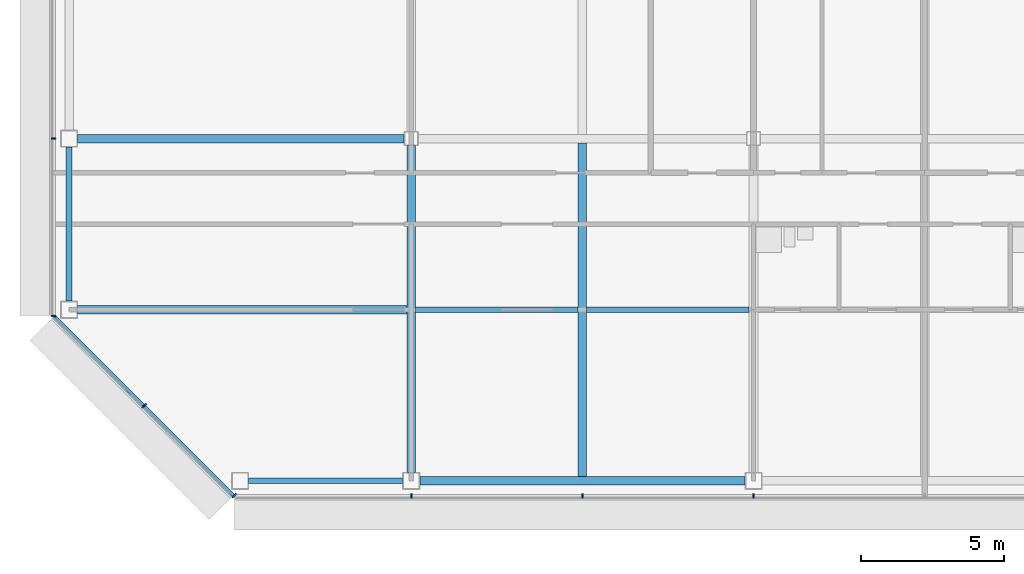
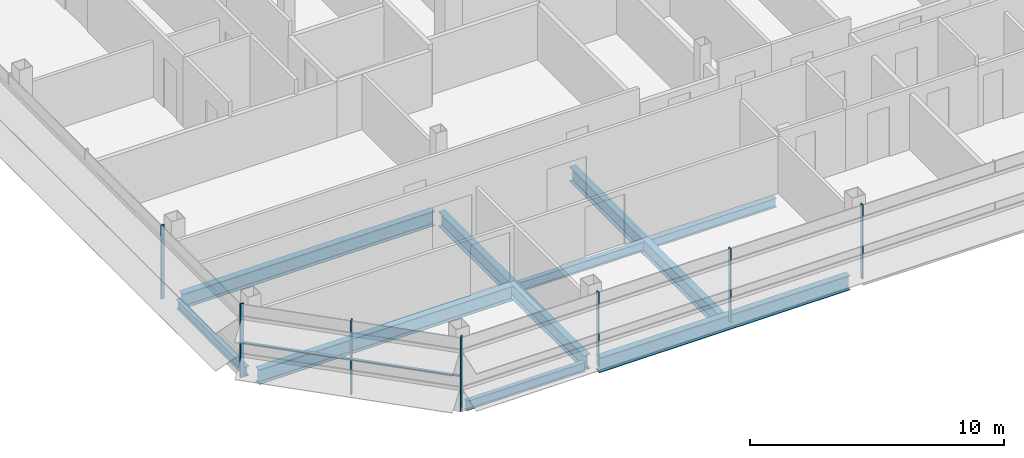
# One storey, part 3 of 28: 9 beams, 8 members, 3 elements without a shape of their own.
"""IFC4 building model written with IfcOpenShell, lengths in metres."""

from ifc_helpers import new_model, si_unit, direction, frame, origin, origin_2d, place, context, subcontext, project, spatial, rectangle, i_section, extrude, material, material_profile, profile_set, type_object, element, aggregate, save


model = new_model("IFC4")

# Units and contexts
model_context = context("Model", 3, precision=1e-05, world=origin(), true_north=direction((0.0, 1.0)))
body_context = subcontext(model_context, "Body", "Model", "MODEL_VIEW")
ifc_project = project(units=[si_unit("LENGTHUNIT", "METRE"), si_unit("AREAUNIT", "SQUARE_METRE"), si_unit("VOLUMEUNIT", "CUBIC_METRE"), si_unit("PLANEANGLEUNIT", "RADIAN"), si_unit("MASSUNIT", "GRAM", prefix="KILO")], contexts=[model_context])

# Site, building, storey
site_placement = place(None, origin())
site = spatial("IfcSite", under=ifc_project, at=site_placement, CompositionType="ELEMENT")
building_placement = place(site_placement, origin())
building = spatial("IfcBuilding", under=site, at=building_placement, Name="Sorahane Residences", CompositionType="ELEMENT")
storey_placement = place(building_placement, frame((0.0, 0.0, 254.0)))
storey = spatial("IfcBuildingStorey", under=building, at=storey_placement, Name="L60", CompositionType="ELEMENT", Elevation=254.0)

# Curtain wall, members
ifc_material_1 = material(Name="Dark low-e glass and black anodised aluminium", Category="aluminium")
curtain_wall_type_1 = type_object("IfcCurtainWallType", Name="Curtain wall CW-1 Typical unitised wall", PredefinedType="NOTDEFINED", material=ifc_material_1)
curtain_wall_1_placement = place(storey_placement, origin())
curtain_wall_1 = element("IfcCurtainWall", 1, at=curtain_wall_1_placement, inside=storey, type_object=curtain_wall_type_1, Name="CW-1 curtain wall L60 S1", PredefinedType="NOTDEFINED")
ifc_material_2 = material(Name="Black anodised aluminium", Category="aluminium")
ifc_material_profile_1 = material_profile(ifc_material_2, rectangle(XDim=0.159912109375, YDim=0.050048828125, at=origin_2d()), Name="Curtain wall mullion CW-1 black anodised aluminium 50x160")
ifc_profile_set_1 = profile_set([ifc_material_profile_1], Name="Black anodised aluminium")
member_type_1 = type_object("IfcMemberType", Name="Curtain wall mullion CW-1 black anodised aluminium 50x160", PredefinedType="MULLION", material=ifc_profile_set_1)
member_1_placement = place(storey_placement, frame((0.0, -0.5400390625, -0.179931640625), z_axis=(0.0, 0.0, 1.0), x_axis=(0.0, -1.0, 0.0)))
member_1 = element("IfcMember", 2, at=member_1_placement, type_object=member_type_1, Name="CW-1 mullion L60 S1.2", PredefinedType="MULLION", context=body_context, shape_type="SweptSolid", body=[
    extrude(rectangle(XDim=0.159912109375, YDim=0.050048828125, at=origin_2d()), origin(), (0.0, 0.0, 1.0), 3.559814453125),
])
member_2_placement = place(storey_placement, frame((6.0, -0.5400390625, -0.179931640625), z_axis=(0.0, 0.0, 1.0), x_axis=(0.0, -1.0, 0.0)))
member_2 = element("IfcMember", 3, at=member_2_placement, type_object=member_type_1, Name="CW-1 mullion L60 S1.3", PredefinedType="MULLION", context=body_context, shape_type="SweptSolid", body=[
    extrude(rectangle(XDim=0.159912109375, YDim=0.050048828125, at=origin_2d()), origin(), (0.0, 0.0, 1.0), 3.559814453125),
])
member_3_placement = place(storey_placement, frame((12.0, -0.5400390625, -0.179931640625), z_axis=(0.0, 0.0, 1.0), x_axis=(0.0, -1.0, 0.0)))
member_3 = element("IfcMember", 4, at=member_3_placement, type_object=member_type_1, Name="CW-1 mullion L60 S1.4", PredefinedType="MULLION", context=body_context, shape_type="SweptSolid", body=[
    extrude(rectangle(XDim=0.159912109375, YDim=0.050048828125, at=origin_2d()), origin(), (0.0, 0.0, 1.0), 3.559814453125),
])
aggregate(curtain_wall_1, [member_1, member_2, member_3])

curtain_wall_2_placement = place(storey_placement, origin())
curtain_wall_2 = element("IfcCurtainWall", 5, at=curtain_wall_2_placement, inside=storey, type_object=curtain_wall_type_1, Name="CW-1 curtain wall L60 W1", PredefinedType="NOTDEFINED")
member_4_placement = place(storey_placement, frame((-12.5400390625, 12.0, -0.179931640625), z_axis=(0.0, 0.0, 1.0), x_axis=(-1.0, 0.0, 0.0)))
member_4 = element("IfcMember", 6, at=member_4_placement, type_object=member_type_1, Name="CW-1 mullion L60 W1.6", PredefinedType="MULLION", context=body_context, shape_type="SweptSolid", body=[
    extrude(rectangle(XDim=0.159912109375, YDim=0.050048828125, at=origin_2d()), origin(), (0.0, 0.0, 1.0), 3.559814453125),
])
member_5_placement = place(storey_placement, frame((-12.5400390625, 5.7763671875, -0.179931640625), z_axis=(0.0, 0.0, 1.0), x_axis=(-1.0, 0.0, 0.0)))
member_5 = element("IfcMember", 7, at=member_5_placement, type_object=member_type_1, Name="CW-1 mullion L60 W1.7", PredefinedType="MULLION", context=body_context, shape_type="SweptSolid", body=[
    extrude(rectangle(XDim=0.159912109375, YDim=0.050048828125, at=origin_2d()), origin(), (0.0, 0.0, 1.0), 3.559814453125),
])
aggregate(curtain_wall_2, [member_4, member_5])

ifc_material_3 = material(Name="Dark low-e glass and black anodised aluminium", Category="aluminium")
curtain_wall_type_2 = type_object("IfcCurtainWallType", Name="Curtain wall CW-2 Chamfer unitised wall", PredefinedType="NOTDEFINED", material=ifc_material_3)
curtain_wall_3_placement = place(storey_placement, origin())
curtain_wall_3 = element("IfcCurtainWall", 8, at=curtain_wall_3_placement, inside=storey, type_object=curtain_wall_type_2, Name="CW-2 curtain wall L60 SW1", PredefinedType="NOTDEFINED")
ifc_material_4 = material(Name="Black anodised aluminium", Category="aluminium")
ifc_material_profile_2 = material_profile(ifc_material_4, rectangle(XDim=0.199951171875, YDim=0.050048828125, at=origin_2d()), Name="Curtain wall mullion CW-2 black anodised aluminium 50x200")
ifc_profile_set_2 = profile_set([ifc_material_profile_2], Name="Black anodised aluminium")
member_type_2 = type_object("IfcMemberType", Name="Curtain wall mullion CW-2 black anodised aluminium 50x200", PredefinedType="MULLION", material=ifc_profile_set_2)
member_6_placement = place(storey_placement, frame((-9.36767578125, 2.63232421875, -0.179931640625), z_axis=(0.0, 0.0, 1.0), x_axis=(-0.707106781187, -0.707106781187, 0.0)))
member_6 = element("IfcMember", 9, at=member_6_placement, type_object=member_type_2, Name="CW-2 mullion L60 SW1.2", PredefinedType="MULLION", context=body_context, shape_type="SweptSolid", body=[
    extrude(rectangle(XDim=0.199951171875, YDim=0.050048828125, at=origin_2d()), origin(), (0.0, 0.0, 1.0), 3.559814453125),
])
member_7_placement = place(storey_placement, frame((-6.209716796875, -0.525634765625, -0.179931640625), z_axis=(0.0, 0.0, 1.0), x_axis=(-0.707106781187, -0.707106781187, 0.0)))
member_7 = element("IfcMember", 10, at=member_7_placement, type_object=member_type_2, Name="CW-2 mullion L60 SW1.3", PredefinedType="MULLION", context=body_context, shape_type="SweptSolid", body=[
    extrude(rectangle(XDim=0.199951171875, YDim=0.050048828125, at=origin_2d()), origin(), (0.0, 0.0, 1.0), 3.559814453125),
])
ifc_material_5 = material(Name="Black anodised aluminium", Category="aluminium")
ifc_material_profile_3 = material_profile(ifc_material_5, rectangle(XDim=0.10009765625, YDim=0.06005859375, at=origin_2d()), Name="Curtain wall transom CW-2 black anodised aluminium 60x100")
ifc_profile_set_3 = profile_set([ifc_material_profile_3], Name="Black anodised aluminium")
member_type_3 = type_object("IfcMemberType", Name="Curtain wall transom CW-2 black anodised aluminium 60x100", PredefinedType="USERDEFINED", material=ifc_profile_set_3)
member_8_placement = place(storey_placement, frame((-12.51513671875, 5.765625, 1.5), z_axis=(0.707106781187, -0.707106781187, 0.0), x_axis=(0.707106781187, 0.707106781187, 0.0)))
member_8 = element("IfcMember", 11, at=member_8_placement, type_object=member_type_3, Name="CW-2 transom L60 SW1", ObjectType="TRANSOM", PredefinedType="USERDEFINED", context=body_context, shape_type="SweptSolid", body=[
    extrude(rectangle(XDim=0.10009765625, YDim=0.06005859375, at=origin_2d()), origin(), (0.0, 0.0, 1.0), 8.88232421875),
])
aggregate(curtain_wall_3, [member_6, member_7, member_8])

# Beams
ifc_material_6 = material(Name="Steel Q355B", Category="steel")
ifc_material_profile_4 = material_profile(ifc_material_6, i_section(OverallWidth=0.199951171875, OverallDepth=0.449951171875, WebThickness=0.009033203125, FlangeThickness=0.013916015625, FilletRadius=0.02001953125, at=origin_2d()), Name="HN 450x200x9x14")
ifc_profile_set_4 = profile_set([ifc_material_profile_4], Name="Steel Q355B")
beam_type_1 = type_object("IfcBeamType", Name="Steel floor beam HN 450x200x9x14 Q355B", PredefinedType="BEAM", material=ifc_profile_set_4)
for number, where, z_axis, x_axis, name in (
    (12, (-5.699951171875, 0.0, -0.405029296875), (1.0, 0.0, 0.0), (0.0, 1.0, 0.0), "Beam L60 000"),
    (13, (-12.0, 6.300048828125, -0.405029296875), (0.0, 1.0, 0.0), (-1.0, 0.0, 0.0), "Beam L60 020"),
):
    element("IfcBeam", number, at=place(storey_placement, frame(where, z_axis=z_axis, x_axis=x_axis)), inside=storey, type_object=beam_type_1, Name=name, PredefinedType="BEAM", context=body_context, shape_type="SweptSolid", body=[
        extrude(i_section(OverallWidth=0.199951171875, OverallDepth=0.449951171875, WebThickness=0.009033203125, FlangeThickness=0.013916015625, FilletRadius=0.02001953125, at=origin_2d()), origin(), (0.0, 0.0, 1.0), 5.39990234375),
    ])
for number, where, z_axis, x_axis, name in (
    (14, (0.14990234375, 6.0, -0.405029296875), (1.0, 0.0, 0.0), (0.0, 1.0, 0.0), "Beam L60 069"),
    (15, (6.14990234375, 6.0, -0.405029296875), (1.0, 0.0, 0.0), (0.0, 1.0, 0.0), "Beam L60 070"),
):
    element("IfcBeam", number, at=place(storey_placement, frame(where, z_axis=z_axis, x_axis=x_axis)), inside=storey, type_object=beam_type_1, Name=name, PredefinedType="BEAM", context=body_context, shape_type="SweptSolid", body=[
        extrude(i_section(OverallWidth=0.199951171875, OverallDepth=0.449951171875, WebThickness=0.009033203125, FlangeThickness=0.013916015625, FilletRadius=0.02001953125, at=origin_2d()), origin(), (0.0, 0.0, 1.0), 5.7001953125),
    ])
ifc_material_7 = material(Name="Steel Q355B", Category="steel")
ifc_material_profile_5 = material_profile(ifc_material_7, i_section(OverallWidth=0.300048828125, OverallDepth=0.699951171875, WebThickness=0.012939453125, FlangeThickness=0.02392578125, FilletRadius=0.028076171875, at=origin_2d()), Name="HN 700x300x13x24")
ifc_profile_set_5 = profile_set([ifc_material_profile_5], Name="Steel Q355B")
beam_type_2 = type_object("IfcBeamType", Name="Steel floor beam HN 700x300x13x24 Q355B", PredefinedType="BEAM", material=ifc_profile_set_5)
beam_1_placement = place(storey_placement, frame((0.300048828125, 0.0, -0.530029296875), z_axis=(1.0, 0.0, 0.0), x_axis=(0.0, 1.0, 0.0)))
element("IfcBeam", 16, at=beam_1_placement, inside=storey, type_object=beam_type_2, Name="Beam L60 001", PredefinedType="BEAM", context=body_context, shape_type="SweptSolid", body=[
    extrude(i_section(OverallWidth=0.300048828125, OverallDepth=0.699951171875, WebThickness=0.012939453125, FlangeThickness=0.02392578125, FilletRadius=0.028076171875, at=origin_2d()), origin(), (0.0, 0.0, 1.0), 11.39990234375),
])
for number, where, z_axis, x_axis, name in (
    (17, (-11.699951171875, 12.0, -0.530029296875), (1.0, 0.0, 0.0), (0.0, 1.0, 0.0), "Beam L60 005"),
    (18, (0.0, 0.300048828125, -0.530029296875), (0.0, 1.0, 0.0), (-1.0, 0.0, 0.0), "Beam L60 024"),
):
    element("IfcBeam", number, at=place(storey_placement, frame(where, z_axis=z_axis, x_axis=x_axis)), inside=storey, type_object=beam_type_2, Name=name, PredefinedType="BEAM", context=body_context, shape_type="SweptSolid", body=[
        extrude(i_section(OverallWidth=0.300048828125, OverallDepth=0.699951171875, WebThickness=0.012939453125, FlangeThickness=0.02392578125, FilletRadius=0.028076171875, at=origin_2d()), origin(), (0.0, 0.0, 1.0), 11.449951171875),
    ])
beam_2_placement = place(storey_placement, frame((6.0, 0.14990234375, -0.530029296875), z_axis=(0.0, 1.0, 0.0), x_axis=(-1.0, 0.0, 0.0)))
element("IfcBeam", 19, at=beam_2_placement, inside=storey, type_object=beam_type_2, Name="Beam L60 028", PredefinedType="BEAM", context=body_context, shape_type="SweptSolid", body=[
    extrude(i_section(OverallWidth=0.300048828125, OverallDepth=0.699951171875, WebThickness=0.012939453125, FlangeThickness=0.02392578125, FilletRadius=0.028076171875, at=origin_2d()), origin(), (0.0, 0.0, 1.0), 11.7001953125),
])
beam_3_placement = place(storey_placement, frame((-11.699951171875, 6.0, -0.530029296875), z_axis=(1.0, 0.0, 0.0), x_axis=(0.0, 1.0, 0.0)))
element("IfcBeam", 20, at=beam_3_placement, inside=storey, type_object=beam_type_2, Name="Beam L60 068", PredefinedType="BEAM", context=body_context, shape_type="SweptSolid", body=[
    extrude(i_section(OverallWidth=0.300048828125, OverallDepth=0.699951171875, WebThickness=0.012939453125, FlangeThickness=0.02392578125, FilletRadius=0.028076171875, at=origin_2d()), origin(), (0.0, 0.0, 1.0), 11.550048828125),
])

save(model, "model.ifc")
